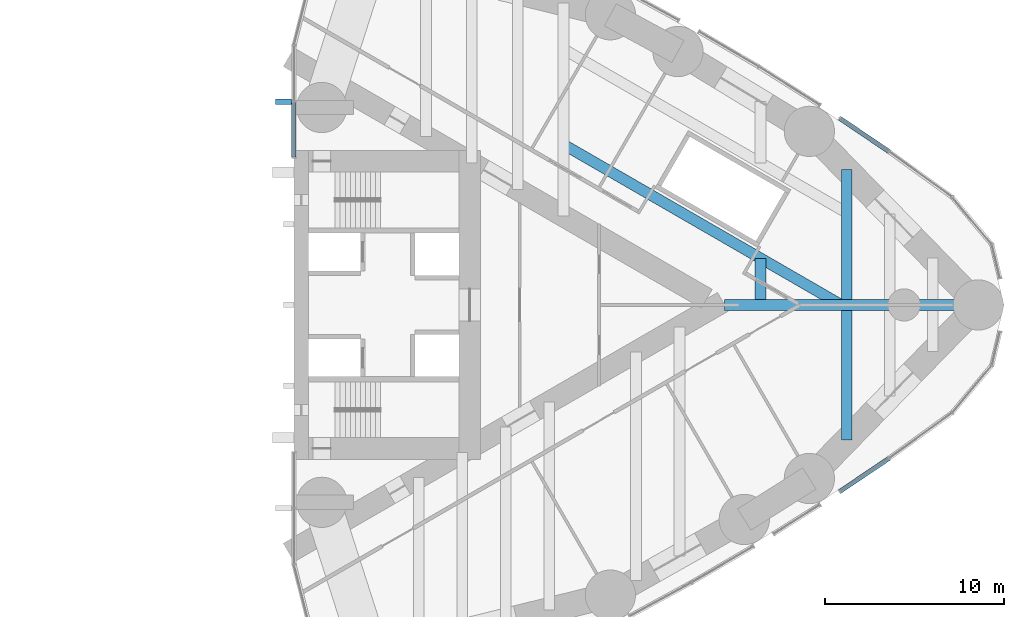
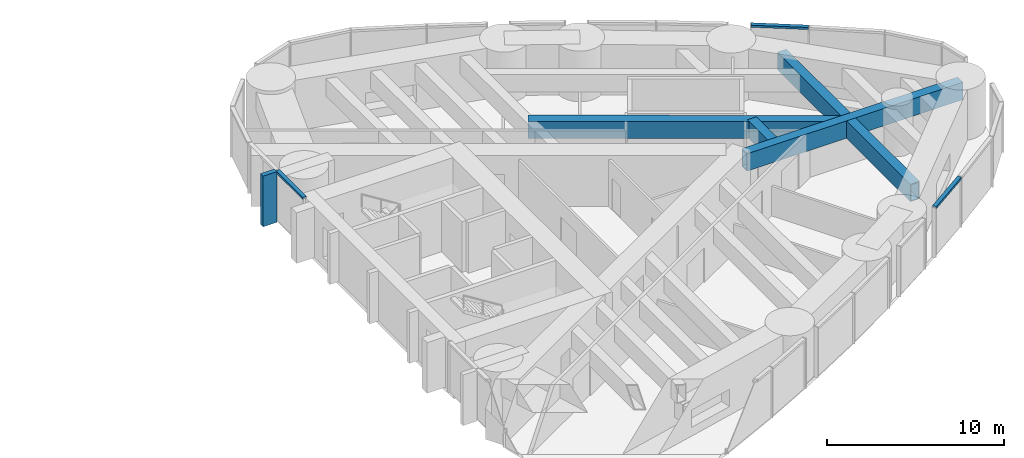
# One storey, part 7 of 17: 5 beams, 4 members, 3 elements without a shape of their own.
"""IFC4 building model written with IfcOpenShell, lengths in metres."""

from ifc_helpers import new_model, si_unit, direction, frame, origin, origin_2d, place, context, subcontext, project, spatial, rectangle, hollow_rectangle, extrude, material, material_profile, profile_set, type_object, element, aggregate, save


model = new_model("IFC4")

# Units and contexts
model_context = context("Model", 3, precision=1e-05, world=origin(), true_north=direction((0.0, 1.0)))
body_context = subcontext(model_context, "Body", "Model", "MODEL_VIEW")
ifc_project = project(units=[si_unit("LENGTHUNIT", "METRE"), si_unit("AREAUNIT", "SQUARE_METRE"), si_unit("VOLUMEUNIT", "CUBIC_METRE"), si_unit("PLANEANGLEUNIT", "RADIAN"), si_unit("MASSUNIT", "GRAM", prefix="KILO")], contexts=[model_context])

# Site, building, storey
site_placement = place(None, origin())
site = spatial("IfcSite", under=ifc_project, at=site_placement, CompositionType="ELEMENT")
building_placement = place(site_placement, origin())
building = spatial("IfcBuilding", under=site, at=building_placement, Name="Lancet Gate Hotel", CompositionType="ELEMENT")
storey_placement = place(building_placement, frame((0.0, 0.0, 201.800048828125)))
storey = spatial("IfcBuildingStorey", under=building, at=storey_placement, Name="L54", CompositionType="ELEMENT", Elevation=201.800048828125)

# Curtain wall, member
ifc_material_1 = material(Name="Aluminium curtain wall", Category="aluminium")
curtain_wall_type = type_object("IfcCurtainWallType", Name="Tower unitised curtain wall", PredefinedType="USERDEFINED", material=ifc_material_1)
curtain_wall_1_placement = place(storey_placement, origin())
curtain_wall_1 = element("IfcCurtainWall", 1, at=curtain_wall_1_placement, inside=storey, type_object=curtain_wall_type, Name="T2 L54 curtain wall 5", ObjectType="UNITISED CURTAIN WALL", PredefinedType="USERDEFINED")
ifc_material_2 = material(Name="Aluminium transom", Category="aluminium")
ifc_material_profile_1 = material_profile(ifc_material_2, rectangle(XDim=0.25, YDim=0.14990234375, at=origin_2d()), Name="TRANSOM 250x150")
ifc_profile_set_1 = profile_set([ifc_material_profile_1], Name="Aluminium transom")
member_type_1 = type_object("IfcMemberType", Name="Aluminium transom 250x150", PredefinedType="USERDEFINED", material=ifc_profile_set_1)
member_1_placement = place(storey_placement, frame((57.933837890625, -10.386474609375, 3.425048828125), z_axis=(0.829038986246, 0.559190807581, 0.0), x_axis=(-0.559190807581, 0.829038986246, 0.0)))
member_1 = element("IfcMember", 2, at=member_1_placement, type_object=member_type_1, Name="T2 L54 curtain wall 5 transom 1", ObjectType="TRANSOM", PredefinedType="USERDEFINED", context=body_context, shape_type="SweptSolid", body=[
    extrude(rectangle(XDim=0.25, YDim=0.14990234375, at=origin_2d()), origin(), (0.0, 0.0, 1.0), 3.256103515625),
])
aggregate(curtain_wall_1, [member_1])

curtain_wall_2_placement = place(storey_placement, origin())
curtain_wall_2 = element("IfcCurtainWall", 3, at=curtain_wall_2_placement, inside=storey, type_object=curtain_wall_type, Name="T2 L54 curtain wall 6", ObjectType="UNITISED CURTAIN WALL", PredefinedType="USERDEFINED")
member_2_placement = place(storey_placement, frame((60.63330078125, 8.565673828125, 3.425048828125), z_axis=(-0.829038986246, 0.559190807581, 0.0), x_axis=(-0.559190807581, -0.829038986246, 0.0)))
member_2 = element("IfcMember", 4, at=member_2_placement, type_object=member_type_1, Name="T2 L54 curtain wall 6 transom 4", ObjectType="TRANSOM", PredefinedType="USERDEFINED", context=body_context, shape_type="SweptSolid", body=[
    extrude(rectangle(XDim=0.25, YDim=0.14990234375, at=origin_2d()), origin(), (0.0, 0.0, 1.0), 3.256103515625),
])
aggregate(curtain_wall_2, [member_2])

# Curtain wall, members
curtain_wall_3_placement = place(storey_placement, origin())
curtain_wall_3 = element("IfcCurtainWall", 5, at=curtain_wall_3_placement, inside=storey, type_object=curtain_wall_type, Name="T2 L54 curtain wall 10", ObjectType="UNITISED CURTAIN WALL", PredefinedType="USERDEFINED")
member_3_placement = place(storey_placement, frame((27.5, 11.30029296875, 3.425048828125), z_axis=(0.0, -1.0, 0.0), x_axis=(1.0, 0.0, 0.0)))
member_3 = element("IfcMember", 6, at=member_3_placement, type_object=member_type_1, Name="T2 L54 curtain wall 10 transom 4", ObjectType="TRANSOM", PredefinedType="USERDEFINED", context=body_context, shape_type="SweptSolid", body=[
    extrude(rectangle(XDim=0.25, YDim=0.14990234375, at=origin_2d()), origin(), (0.0, 0.0, 1.0), 3.06787109375),
])
ifc_material_3 = material(Name="Precast concrete C50/60", Category="concrete")
ifc_material_profile_2 = material_profile(ifc_material_3, rectangle(XDim=0.300048828125, YDim=0.89990234375, at=origin_2d()), Name="FIN 300x900")
ifc_profile_set_2 = profile_set([ifc_material_profile_2], Name="Precast concrete C50/60")
member_type_2 = type_object("IfcMemberType", Name="Exposed concrete fin 300x900", PredefinedType="USERDEFINED", material=ifc_profile_set_2)
member_4_placement = place(storey_placement, frame((26.925048828125, 11.332763671875, 0.0), z_axis=(0.0, 0.0, 1.0), x_axis=(0.0, -1.0, 0.0)))
member_4 = element("IfcMember", 7, at=member_4_placement, type_object=member_type_2, Name="T2 L54 curtain wall 10 fin 4", ObjectType="FIN", PredefinedType="USERDEFINED", context=body_context, shape_type="SweptSolid", body=[
    extrude(rectangle(XDim=0.300048828125, YDim=0.89990234375, at=origin_2d()), origin(), (0.0, 0.0, 1.0), 3.5),
])
aggregate(curtain_wall_3, [member_4, member_3])

# Beams
ifc_material_4 = material(Name="Steel S460QL", Category="steel")
ifc_material_profile_3 = material_profile(ifc_material_4, hollow_rectangle(XDim=0.60009765625, YDim=1.199951171875, WallThickness=0.050048828125, at=origin_2d()), Name="BOX 1200x600x50")
ifc_profile_set_3 = profile_set([ifc_material_profile_3], Name="Steel S460QL")
beam_type_1 = type_object("IfcBeamType", Name="Refuge floor beam BOX 1200x600x50", PredefinedType="BEAM", material=ifc_profile_set_3)
for number, where, z_axis, x_axis, name in (
    (8, (58.30224609375, -7.534912109375, 2.64990234375), (0.0, 1.0, 0.0), (-1.0, 0.0, 0.0), "T2 floor beam F12S L54"),
    (9, (58.30224609375, 0.300048828125, 2.64990234375), (0.0, 1.0, 0.0), (-1.0, 0.0, 0.0), "T2 floor beam F13N L54"),
):
    element("IfcBeam", number, at=place(storey_placement, frame(where, z_axis=z_axis, x_axis=x_axis)), inside=storey, type_object=beam_type_1, Name=name, PredefinedType="BEAM", context=body_context, shape_type="SweptSolid", body=[
        extrude(hollow_rectangle(XDim=0.60009765625, YDim=1.199951171875, WallThickness=0.050048828125, at=origin_2d()), origin(), (0.0, 0.0, 1.0), 7.23486328125),
    ])
beam_1_placement = place(storey_placement, frame((53.502197265625, 0.300048828125, 2.64990234375), z_axis=(0.0, 1.0, 0.0), x_axis=(-1.0, 0.0, 0.0)))
element("IfcBeam", 10, at=beam_1_placement, inside=storey, type_object=beam_type_1, Name="T2 floor beam F11NA L54", PredefinedType="BEAM", context=body_context, shape_type="SweptSolid", body=[
    extrude(hollow_rectangle(XDim=0.60009765625, YDim=1.199951171875, WallThickness=0.050048828125, at=origin_2d()), origin(), (0.0, 0.0, 1.0), 2.2978515625),
])
ifc_material_5 = material(Name="Steel S460QL", Category="steel")
ifc_material_profile_4 = material_profile(ifc_material_5, hollow_rectangle(XDim=0.60009765625, YDim=1.199951171875, WallThickness=0.06005859375, at=origin_2d()), Name="BOX 1200x600x60")
ifc_profile_set_4 = profile_set([ifc_material_profile_4], Name="Steel S460QL")
beam_type_2 = type_object("IfcBeamType", Name="Refuge floor beam BOX 1200x600x60", PredefinedType="BEAM", material=ifc_profile_set_4)
beam_2_placement = place(storey_placement, frame((65.6396484375, 0.0, 2.64990234375), z_axis=(-1.0, 0.0, 0.0), x_axis=(0.0, -1.0, 0.0)))
element("IfcBeam", 11, at=beam_2_placement, inside=storey, type_object=beam_type_2, Name="T2 radial beam CA L54", PredefinedType="BEAM", context=body_context, shape_type="SweptSolid", body=[
    extrude(hollow_rectangle(XDim=0.60009765625, YDim=1.199951171875, WallThickness=0.06005859375, at=origin_2d()), origin(), (0.0, 0.0, 1.0), 14.137451171875),
])
ifc_material_6 = material(Name="Steel S460QL", Category="steel")
ifc_material_profile_5 = material_profile(ifc_material_6, hollow_rectangle(XDim=0.60009765625, YDim=1.199951171875, WallThickness=0.050048828125, at=origin_2d()), Name="BOX 1200x600x50")
ifc_profile_set_5 = profile_set([ifc_material_profile_5], Name="Steel S460QL")
beam_type_3 = type_object("IfcBeamType", Name="Trimmer beam BOX 1200x600x50", PredefinedType="BEAM", material=ifc_profile_set_5)
beam_3_placement = place(storey_placement, frame((42.51904296875, 8.93994140625, 2.64990234375), z_axis=(0.865997283478, -0.500048702637, 0.0), x_axis=(0.500048702637, 0.865997283478, 0.0)))
element("IfcBeam", 12, at=beam_3_placement, inside=storey, type_object=beam_type_3, Name="T2 trimmer beam TR02N L54", PredefinedType="BEAM", context=body_context, shape_type="SweptSolid", body=[
    extrude(hollow_rectangle(XDim=0.60009765625, YDim=1.199951171875, WallThickness=0.050048828125, at=origin_2d()), origin(), (0.0, 0.0, 1.0), 17.878173828125),
])

save(model, "model.ifc")
